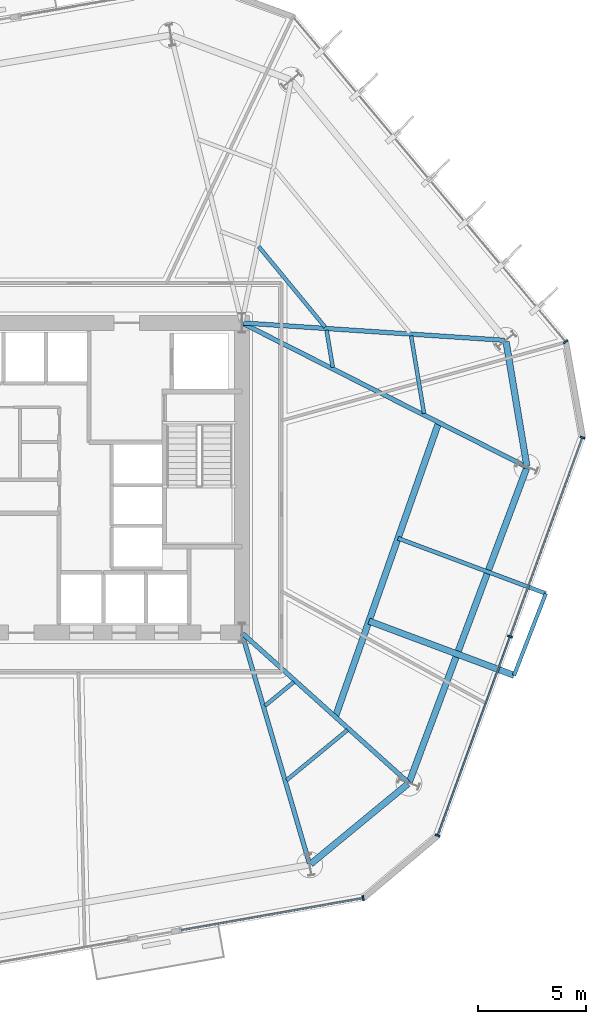
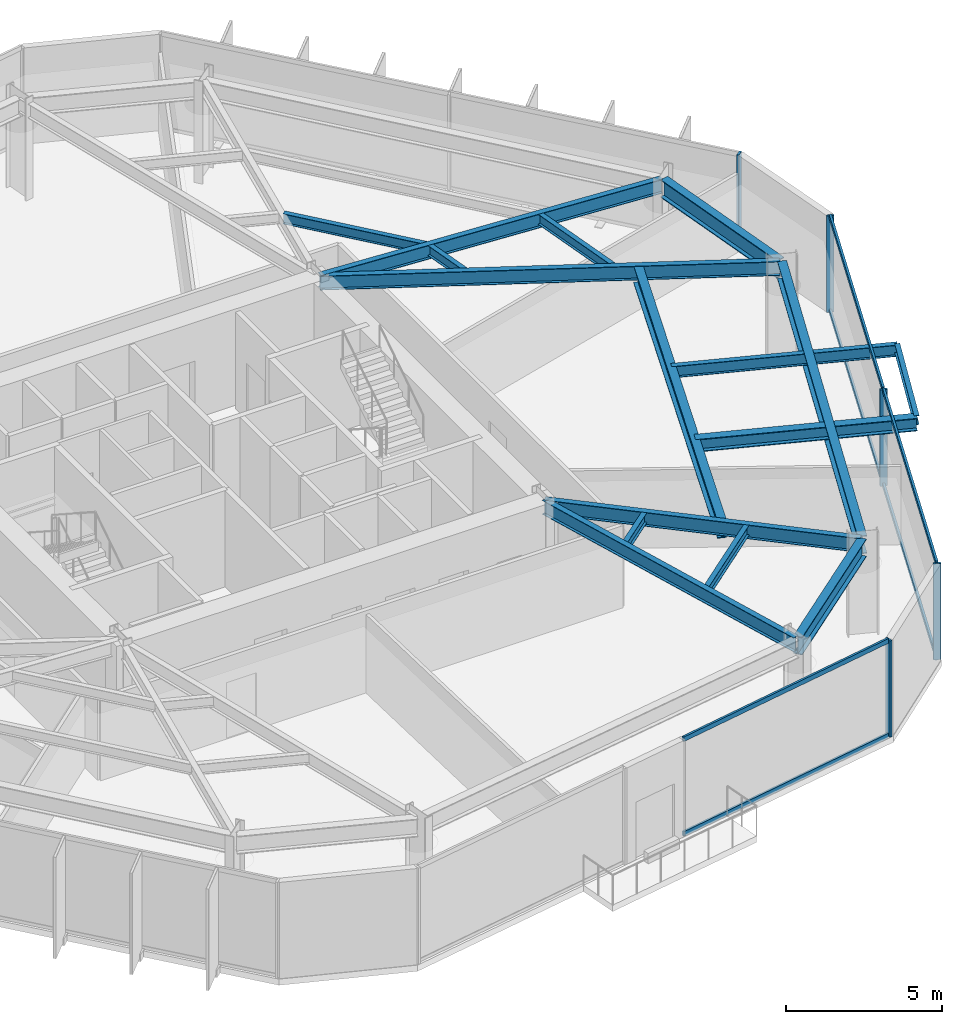
# One storey, part 3 of 10: 16 beams, 11 members, 3 elements without a shape of their own.
"""IFC4 building model written with IfcOpenShell, lengths in metres."""

from ifc_helpers import new_model, si_unit, direction, frame, origin, origin_2d, place, context, subcontext, project, spatial, rectangle, i_section, extrude, material, layer, layer_set, material_profile, profile_set, type_object, element, aggregate, save


model = new_model("IFC4")

# Units and contexts
model_context = context("Model", 3, precision=1e-05, world=origin(), true_north=direction((0.0, 1.0)))
body_context = subcontext(model_context, "Body", "Model", "MODEL_VIEW")
ifc_project = project(units=[si_unit("LENGTHUNIT", "METRE"), si_unit("AREAUNIT", "SQUARE_METRE"), si_unit("VOLUMEUNIT", "CUBIC_METRE"), si_unit("PLANEANGLEUNIT", "RADIAN"), si_unit("MASSUNIT", "GRAM", prefix="KILO")], contexts=[model_context])

# Site, building, storey
site_placement = place(None, origin())
site = spatial("IfcSite", under=ifc_project, at=site_placement, CompositionType="ELEMENT")
building_placement = place(site_placement, origin())
building = spatial("IfcBuilding", under=site, at=building_placement, Name="Kranzbogen Civic Tower", CompositionType="ELEMENT")
storey_placement = place(building_placement, frame((0.0, 0.0, 60.0)))
storey = spatial("IfcBuildingStorey", under=building, at=storey_placement, Name="L14", CompositionType="ELEMENT", Elevation=60.0)

# Beam
ifc_material_1 = material(Name="Steel S355", Category="steel")
ifc_material_profile_1 = material_profile(ifc_material_1, i_section(OverallWidth=0.18994140625, OverallDepth=0.449951171875, WebThickness=0.009521484375, FlangeThickness=0.0146484375, at=origin_2d()), Name="IPE 450")
ifc_profile_set_1 = profile_set([ifc_material_profile_1], Name="Steel S355")
beam_type_1 = type_object("IfcBeamType", Name="Braced Terrace Edge Beam IPE 450", PredefinedType="BEAM", material=ifc_profile_set_1)
beam_1_placement = place(storey_placement, frame((40.06201171875, 22.18896484375, 3.52490234375), z_axis=(0.936685790104, -0.350171001966, 0.0), x_axis=(0.350171001966, 0.936685790104, 0.0)))
element("IfcBeam", 1, at=beam_1_placement, inside=storey, type_object=beam_type_1, Name="L15 back-spanned terrace beam L15-TB1-2", PredefinedType="BEAM", context=body_context, shape_type="SweptSolid", body=[
    extrude(i_section(OverallWidth=0.18994140625, OverallDepth=0.449951171875, WebThickness=0.009521484375, FlangeThickness=0.0146484375, at=origin_2d()), origin(), (0.0, 0.0, 1.0), 7.333251953125),
])

# Curtain wall, member
ifc_material_2 = material(Name="Pale Anodised Aluminium", Category="aluminium")
ifc_layer = layer(ifc_material_2, 0.219970703125, Name="Pale Anodised Aluminium")
ifc_layer_set = layer_set([ifc_layer], Name="Pale Anodised Aluminium")
curtain_wall_type = type_object("IfcCurtainWallType", Name="Zone 1 Stick Curtain Wall System CW-02", PredefinedType="USERDEFINED", material=ifc_layer_set)
curtain_wall_1_placement = place(storey_placement, origin())
curtain_wall_1 = element("IfcCurtainWall", 2, at=curtain_wall_1_placement, inside=storey, type_object=curtain_wall_type, Name="L14 curtain wall CW-L14-F1", ObjectType="STICK CURTAIN WALL", PredefinedType="USERDEFINED")
ifc_material_profile_2 = material_profile(ifc_material_2, rectangle(XDim=0.080078125, YDim=0.239990234375, at=origin_2d()), Name="ALU-M 80x240")
ifc_profile_set_2 = profile_set([ifc_material_profile_2], Name="Pale Anodised Aluminium")
member_type_1 = type_object("IfcMemberType", Name="Curtain Wall Mullion ALU-M 80x240", PredefinedType="MULLION", material=ifc_profile_set_2)
member_1_placement = place(storey_placement, frame((47.851806640625, 31.326904296875, 0.0), z_axis=(0.0, 0.0, 1.0), x_axis=(-0.64275131969, 0.766074892577, 0.0)))
member_1 = element("IfcMember", 3, at=member_1_placement, type_object=member_type_1, Name="CW-02 mullion 1", PredefinedType="MULLION", context=body_context, shape_type="SweptSolid", body=[
    extrude(rectangle(XDim=0.080078125, YDim=0.239990234375, at=origin_2d()), origin(), (0.0, 0.0, 1.0), 3.760009765625),
])
aggregate(curtain_wall_1, [member_1])

curtain_wall_2_placement = place(storey_placement, origin())
curtain_wall_2 = element("IfcCurtainWall", 4, at=curtain_wall_2_placement, inside=storey, type_object=curtain_wall_type, Name="L14 curtain wall CW-L14-F5-S2", ObjectType="STICK CURTAIN WALL", PredefinedType="USERDEFINED")
member_2_placement = place(storey_placement, frame((38.439453125, 5.4638671875, 0.0), z_axis=(0.0, 0.0, 1.0), x_axis=(0.984807925391, 0.173647200057, 0.0)))
member_2 = element("IfcMember", 5, at=member_2_placement, type_object=member_type_1, Name="CW-02 mullion 2", PredefinedType="MULLION", context=body_context, shape_type="SweptSolid", body=[
    extrude(rectangle(XDim=0.080078125, YDim=0.239990234375, at=origin_2d()), origin(), (0.0, 0.0, 1.0), 3.760009765625),
])

# Curtain wall, members
curtain_wall_3_placement = place(storey_placement, origin())
curtain_wall_3 = element("IfcCurtainWall", 6, at=curtain_wall_3_placement, inside=storey, type_object=curtain_wall_type, Name="L14 curtain wall CW-L14-F6", ObjectType="STICK CURTAIN WALL", PredefinedType="USERDEFINED")
member_3_placement = place(storey_placement, frame((41.9052734375, 8.373291015625, 0.0), z_axis=(0.0, 0.0, 1.0), x_axis=(0.342015504473, 0.939694309177, 0.0)))
member_3 = element("IfcMember", 7, at=member_3_placement, type_object=member_type_1, Name="CW-02 mullion 1", PredefinedType="MULLION", context=body_context, shape_type="SweptSolid", body=[
    extrude(rectangle(XDim=0.080078125, YDim=0.239990234375, at=origin_2d()), origin(), (0.0, 0.0, 1.0), 3.760009765625),
])
member_4_placement = place(storey_placement, frame((45.271484375, 17.6220703125, 0.0), z_axis=(0.0, 0.0, 1.0), x_axis=(0.342015504473, 0.939694309177, 0.0)))
member_4 = element("IfcMember", 8, at=member_4_placement, type_object=member_type_1, Name="CW-02 mullion 2", PredefinedType="MULLION", context=body_context, shape_type="SweptSolid", body=[
    extrude(rectangle(XDim=0.080078125, YDim=0.239990234375, at=origin_2d()), origin(), (0.0, 0.0, 1.0), 3.760009765625),
])
member_5_placement = place(storey_placement, frame((48.6376953125, 26.870849609375, 0.0), z_axis=(0.0, 0.0, 1.0), x_axis=(0.342015504473, 0.939694309177, 0.0)))
member_5 = element("IfcMember", 9, at=member_5_placement, type_object=member_type_1, Name="CW-02 mullion 3", PredefinedType="MULLION", context=body_context, shape_type="SweptSolid", body=[
    extrude(rectangle(XDim=0.080078125, YDim=0.239990234375, at=origin_2d()), origin(), (0.0, 0.0, 1.0), 3.760009765625),
])

# Member
ifc_material_profile_3 = material_profile(ifc_material_2, rectangle(XDim=0.080078125, YDim=0.179931640625, at=origin_2d()), Name="ALU-T 80x180")
ifc_profile_set_3 = profile_set([ifc_material_profile_3], Name="Pale Anodised Aluminium")
member_type_2 = type_object("IfcMemberType", Name="Curtain Wall Transom ALU-T 80x180", PredefinedType="USERDEFINED", material=ifc_profile_set_3)
member_6_placement = place(storey_placement, frame((29.987060546875, 3.973388671875, 0.030029296875), z_axis=(0.984809123879, 0.173640402915, 0.0), x_axis=(-0.173640402915, 0.984809123879, 0.0)))
member_6 = element("IfcMember", 10, at=member_6_placement, type_object=member_type_2, Name="CW-02 transom 1.1", ObjectType="TRANSOM", PredefinedType="USERDEFINED", context=body_context, shape_type="SweptSolid", body=[
    extrude(rectangle(XDim=0.080078125, YDim=0.179931640625, at=origin_2d()), origin(), (0.0, 0.0, 1.0), 8.552734375),
])

member_7_placement = place(storey_placement, frame((29.987060546875, 3.973388671875, 3.72998046875), z_axis=(0.984809123879, 0.173640402915, 0.0), x_axis=(-0.173640402915, 0.984809123879, 0.0)))
member_7 = element("IfcMember", 11, at=member_7_placement, type_object=member_type_2, Name="CW-02 transom 1.2", ObjectType="TRANSOM", PredefinedType="USERDEFINED", context=body_context, shape_type="SweptSolid", body=[
    extrude(rectangle(XDim=0.080078125, YDim=0.179931640625, at=origin_2d()), origin(), (0.0, 0.0, 1.0), 8.552734375),
])

aggregate(curtain_wall_2, [member_2, member_6, member_7])

member_8_placement = place(storey_placement, frame((41.91552734375, 8.4013671875, 0.030029296875), z_axis=(0.342015575734, 0.939694283241, 0.0), x_axis=(-0.939694283241, 0.342015575734, 0.0)))
member_8 = element("IfcMember", 12, at=member_8_placement, type_object=member_type_2, Name="CW-02 transom 1.1", ObjectType="TRANSOM", PredefinedType="USERDEFINED", context=body_context, shape_type="SweptSolid", body=[
    extrude(rectangle(XDim=0.080078125, YDim=0.179931640625, at=origin_2d()), origin(), (0.0, 0.0, 1.0), 9.7822265625),
])

member_9_placement = place(storey_placement, frame((41.91552734375, 8.4013671875, 3.72998046875), z_axis=(0.342015575734, 0.939694283241, 0.0), x_axis=(-0.939694283241, 0.342015575734, 0.0)))
member_9 = element("IfcMember", 13, at=member_9_placement, type_object=member_type_2, Name="CW-02 transom 1.2", ObjectType="TRANSOM", PredefinedType="USERDEFINED", context=body_context, shape_type="SweptSolid", body=[
    extrude(rectangle(XDim=0.080078125, YDim=0.179931640625, at=origin_2d()), origin(), (0.0, 0.0, 1.0), 9.7822265625),
])

member_10_placement = place(storey_placement, frame((45.28173828125, 17.650146484375, 0.030029296875), z_axis=(0.342015575734, 0.939694283241, 0.0), x_axis=(-0.939694283241, 0.342015575734, 0.0)))
member_10 = element("IfcMember", 14, at=member_10_placement, type_object=member_type_2, Name="CW-02 transom 2.1", ObjectType="TRANSOM", PredefinedType="USERDEFINED", context=body_context, shape_type="SweptSolid", body=[
    extrude(rectangle(XDim=0.080078125, YDim=0.179931640625, at=origin_2d()), origin(), (0.0, 0.0, 1.0), 9.7822265625),
])

member_11_placement = place(storey_placement, frame((45.28173828125, 17.650146484375, 3.72998046875), z_axis=(0.342015575734, 0.939694283241, 0.0), x_axis=(-0.939694283241, 0.342015575734, 0.0)))
member_11 = element("IfcMember", 15, at=member_11_placement, type_object=member_type_2, Name="CW-02 transom 2.2", ObjectType="TRANSOM", PredefinedType="USERDEFINED", context=body_context, shape_type="SweptSolid", body=[
    extrude(rectangle(XDim=0.080078125, YDim=0.179931640625, at=origin_2d()), origin(), (0.0, 0.0, 1.0), 9.7822265625),
])

aggregate(curtain_wall_3, [member_3, member_4, member_5, member_8, member_9, member_10, member_11])

# Beams
ifc_material_profile_4 = material_profile(ifc_material_1, i_section(OverallWidth=0.300048828125, OverallDepth=0.5, WebThickness=0.014404296875, FlangeThickness=0.028076171875, at=origin_2d()), Name="HEB 500")
ifc_profile_set_4 = profile_set([ifc_material_profile_4], Name="Steel S355")
beam_type_2 = type_object("IfcBeamType", Name="Perimeter Tube Spandrel Beam HEB 500", PredefinedType="SPANDREL", material=ifc_profile_set_4)
beam_2_placement = place(storey_placement, frame((38.7109375, 18.340087890625, 3.5), z_axis=(0.936703623387, -0.350123295332, 0.0), x_axis=(0.350123295332, 0.936703623387, 0.0)))
element("IfcBeam", 16, at=beam_2_placement, inside=storey, type_object=beam_type_2, Name="L15 back-spanned terrace beam L15-TB1-1", PredefinedType="SPANDREL", context=body_context, shape_type="SweptSolid", body=[
    extrude(i_section(OverallWidth=0.300048828125, OverallDepth=0.5, WebThickness=0.014404296875, FlangeThickness=0.028076171875, at=origin_2d()), origin(), (0.0, 0.0, 1.0), 7.197509765625),
])
ifc_material_profile_5 = material_profile(ifc_material_1, i_section(OverallWidth=0.300048828125, OverallDepth=0.699951171875, WebThickness=0.01708984375, FlangeThickness=0.031982421875, at=origin_2d()), Name="HEB 700")
ifc_profile_set_5 = profile_set([ifc_material_profile_5], Name="Steel S355")
beam_type_3 = type_object("IfcBeamType", Name="Perimeter Tube Spandrel Beam HEB 700", PredefinedType="SPANDREL", material=ifc_profile_set_5)
beam_3_placement = place(storey_placement, frame((36.00390625, 7.050048828125, 3.409912109375), z_axis=(0.77168336865, 0.636006901337, 0.0), x_axis=(-0.636006901337, 0.77168336865, 0.0)))
element("IfcBeam", 17, at=beam_3_placement, inside=storey, type_object=beam_type_3, Name="L14 perimeter spandrel beam 05", PredefinedType="SPANDREL", context=body_context, shape_type="SweptSolid", body=[
    extrude(i_section(OverallWidth=0.300048828125, OverallDepth=0.699951171875, WebThickness=0.01708984375, FlangeThickness=0.031982421875, at=origin_2d()), origin(), (0.0, 0.0, 1.0), 5.853515625),
])
beam_4_placement = place(storey_placement, frame((40.587890625, 10.866943359375, 3.409912109375), z_axis=(0.350172267932, 0.936685316833, 0.0), x_axis=(-0.936685316833, 0.350172267932, 0.0)))
element("IfcBeam", 18, at=beam_4_placement, inside=storey, type_object=beam_type_3, Name="L14 perimeter spandrel beam 06", PredefinedType="SPANDREL", context=body_context, shape_type="SweptSolid", body=[
    extrude(i_section(OverallWidth=0.300048828125, OverallDepth=0.699951171875, WebThickness=0.01708984375, FlangeThickness=0.031982421875, at=origin_2d()), origin(), (0.0, 0.0, 1.0), 15.55810546875),
])
beam_5_placement = place(storey_placement, frame((46.047119140625, 25.554931640625, 3.409912109375), z_axis=(-0.164913116942, 0.986308097838, 0.0), x_axis=(-0.986308097838, -0.164913116942, 0.0)))
element("IfcBeam", 19, at=beam_5_placement, inside=storey, type_object=beam_type_3, Name="L14 perimeter spandrel beam 07", PredefinedType="SPANDREL", context=body_context, shape_type="SweptSolid", body=[
    extrude(i_section(OverallWidth=0.300048828125, OverallDepth=0.699951171875, WebThickness=0.01708984375, FlangeThickness=0.031982421875, at=origin_2d()), origin(), (0.0, 0.0, 1.0), 5.85205078125),
])
beam_6_placement = place(storey_placement, frame((37.14794921875, 13.887939453125, 3.39990234375), z_axis=(0.331242591506, 0.943545624531, 0.0), x_axis=(-0.943545624531, 0.331242591506, 0.0)))
element("IfcBeam", 20, at=beam_6_placement, inside=storey, type_object=beam_type_3, Name="L15 balcony back-span header girder L15-TB1", PredefinedType="SPANDREL", context=body_context, shape_type="SweptSolid", body=[
    extrude(i_section(OverallWidth=0.300048828125, OverallDepth=0.699951171875, WebThickness=0.01708984375, FlangeThickness=0.031982421875, at=origin_2d()), origin(), (0.0, 0.0, 1.0), 14.5029296875),
])
ifc_material_profile_6 = material_profile(ifc_material_1, i_section(OverallWidth=0.2099609375, OverallDepth=0.550048828125, WebThickness=0.010986328125, FlangeThickness=0.01708984375, at=origin_2d()), Name="IPE 550")
ifc_profile_set_6 = profile_set([ifc_material_profile_6], Name="Steel S355")
beam_type_4 = type_object("IfcBeamType", Name="Radial Tower Floor Girder IPE 550", PredefinedType="BEAM", material=ifc_profile_set_6)
beam_7_placement = place(storey_placement, frame((35.94091796875, 7.070068359375, 3.485107421875), z_axis=(-0.280944131918, 0.959724124288, 0.0), x_axis=(-0.959724124288, -0.280944131918, 0.0)))
element("IfcBeam", 21, at=beam_7_placement, inside=storey, type_object=beam_type_4, Name="L14 radial floor girder 05", PredefinedType="BEAM", context=body_context, shape_type="SweptSolid", body=[
    extrude(i_section(OverallWidth=0.2099609375, OverallDepth=0.550048828125, WebThickness=0.010986328125, FlangeThickness=0.01708984375, at=origin_2d()), origin(), (0.0, 0.0, 1.0), 11.11962890625),
])
beam_8_placement = place(storey_placement, frame((40.52197265625, 10.85107421875, 3.485107421875), z_axis=(-0.743311776894, 0.668945141496, 0.0), x_axis=(-0.668945141496, -0.743311776894, 0.0)))
element("IfcBeam", 22, at=beam_8_placement, inside=storey, type_object=beam_type_4, Name="L14 radial floor girder 06", PredefinedType="BEAM", context=body_context, shape_type="SweptSolid", body=[
    extrude(i_section(OverallWidth=0.2099609375, OverallDepth=0.550048828125, WebThickness=0.010986328125, FlangeThickness=0.01708984375, at=origin_2d()), origin(), (0.0, 0.0, 1.0), 10.328125),
])
beam_9_placement = place(storey_placement, frame((46.0029296875, 25.52294921875, 3.485107421875), z_axis=(-0.892363219254, 0.451317942168, 0.0), x_axis=(-0.451317942168, -0.892363219254, 0.0)))
element("IfcBeam", 23, at=beam_9_placement, inside=storey, type_object=beam_type_4, Name="L14 radial floor girder 07", PredefinedType="BEAM", context=body_context, shape_type="SweptSolid", body=[
    extrude(i_section(OverallWidth=0.2099609375, OverallDepth=0.550048828125, WebThickness=0.010986328125, FlangeThickness=0.01708984375, at=origin_2d()), origin(), (0.0, 0.0, 1.0), 14.73486328125),
])
beam_10_placement = place(storey_placement, frame((45.011962890625, 31.389892578125, 3.485107421875), z_axis=(-0.99780674843, 0.066194356156, 0.0), x_axis=(-0.066194356156, -0.99780674843, 0.0)))
element("IfcBeam", 24, at=beam_10_placement, inside=storey, type_object=beam_type_4, Name="L14 radial floor girder 08", PredefinedType="BEAM", context=body_context, shape_type="SweptSolid", body=[
    extrude(i_section(OverallWidth=0.2099609375, OverallDepth=0.550048828125, WebThickness=0.010986328125, FlangeThickness=0.01708984375, at=origin_2d()), origin(), (0.0, 0.0, 1.0), 12.178466796875),
])
ifc_material_profile_7 = material_profile(ifc_material_1, i_section(OverallWidth=0.169921875, OverallDepth=0.360107421875, WebThickness=0.008056640625, FlangeThickness=0.0126953125, at=origin_2d()), Name="IPE 360")
ifc_profile_set_7 = profile_set([ifc_material_profile_7], Name="Steel S355")
beam_type_5 = type_object("IfcBeamType", Name="Secondary Composite Floor Joist IPE 360", PredefinedType="JOIST", material=ifc_profile_set_7)
beam_11_placement = place(storey_placement, frame((45.452880859375, 15.820068359375, 3.570068359375), z_axis=(0.362414483462, 0.932017028909, 0.0), x_axis=(-0.932017028909, 0.362414483462, 0.0)))
element("IfcBeam", 25, at=beam_11_placement, inside=storey, type_object=beam_type_5, Name="L15 terrace outer edge trimmer L15-TB1", PredefinedType="JOIST", context=body_context, shape_type="SweptSolid", body=[
    extrude(i_section(OverallWidth=0.169921875, OverallDepth=0.360107421875, WebThickness=0.008056640625, FlangeThickness=0.0126953125, at=origin_2d()), origin(), (0.0, 0.0, 1.0), 4.078369140625),
])
ifc_material_profile_8 = material_profile(ifc_material_1, i_section(OverallWidth=0.179931640625, OverallDepth=0.39990234375, WebThickness=0.008544921875, FlangeThickness=0.013427734375, at=origin_2d()), Name="IPE 400")
ifc_profile_set_8 = profile_set([ifc_material_profile_8], Name="Steel S355")
beam_type_6 = type_object("IfcBeamType", Name="Secondary Composite Floor Joist IPE 400", PredefinedType="JOIST", material=ifc_profile_set_8)
beam_12_placement = place(storey_placement, frame((34.883056640625, 10.947021484375, 3.56005859375), z_axis=(0.771712720426, 0.635971286406, 0.0), x_axis=(-0.635971286406, 0.771712720426, 0.0)))
element("IfcBeam", 26, at=beam_12_placement, inside=storey, type_object=beam_type_6, Name="L14 secondary floor joist 1.05", PredefinedType="JOIST", context=body_context, shape_type="SweptSolid", body=[
    extrude(i_section(OverallWidth=0.179931640625, OverallDepth=0.39990234375, WebThickness=0.008544921875, FlangeThickness=0.013427734375, at=origin_2d()), origin(), (0.0, 0.0, 1.0), 3.661865234375),
])
beam_13_placement = place(storey_placement, frame((33.8720703125, 14.39892578125, 3.56005859375), z_axis=(0.771773324836, 0.635897739477, 0.0), x_axis=(-0.635897739477, 0.771773324836, 0.0)))
element("IfcBeam", 27, at=beam_13_placement, inside=storey, type_object=beam_type_6, Name="L14 secondary floor joist 2.05", PredefinedType="JOIST", context=body_context, shape_type="SweptSolid", body=[
    extrude(i_section(OverallWidth=0.179931640625, OverallDepth=0.39990234375, WebThickness=0.008544921875, FlangeThickness=0.013427734375, at=origin_2d()), origin(), (0.0, 0.0, 1.0), 1.751953125),
])
beam_14_placement = place(storey_placement, frame((41.27099609375, 27.988037109375, 3.56005859375), z_axis=(-0.164928678379, 0.986305495802, 0.0), x_axis=(-0.986305495802, -0.164928678379, 0.0)))
element("IfcBeam", 28, at=beam_14_placement, inside=storey, type_object=beam_type_6, Name="L14 secondary floor joist 1.07", PredefinedType="JOIST", context=body_context, shape_type="SweptSolid", body=[
    extrude(i_section(OverallWidth=0.179931640625, OverallDepth=0.39990234375, WebThickness=0.008544921875, FlangeThickness=0.013427734375, at=origin_2d()), origin(), (0.0, 0.0, 1.0), 3.662109375),
])
beam_15_placement = place(storey_placement, frame((37.029052734375, 30.134033203125, 3.56005859375), z_axis=(-0.165077224104, 0.986280644686, 0.0), x_axis=(-0.986280644686, -0.165077224104, 0.0)))
element("IfcBeam", 29, at=beam_15_placement, inside=storey, type_object=beam_type_6, Name="L14 secondary floor joist 2.07", PredefinedType="JOIST", context=body_context, shape_type="SweptSolid", body=[
    extrude(i_section(OverallWidth=0.179931640625, OverallDepth=0.39990234375, WebThickness=0.008544921875, FlangeThickness=0.013427734375, at=origin_2d()), origin(), (0.0, 0.0, 1.0), 1.7509765625),
])
beam_16_placement = place(storey_placement, frame((36.676025390625, 32.0009765625, 3.56005859375), z_axis=(-0.636012010413, 0.771679157818, 0.0), x_axis=(-0.771679157818, -0.636012010413, 0.0)))
element("IfcBeam", 30, at=beam_16_placement, inside=storey, type_object=beam_type_6, Name="L14 secondary floor joist 2.08", PredefinedType="JOIST", context=body_context, shape_type="SweptSolid", body=[
    extrude(i_section(OverallWidth=0.179931640625, OverallDepth=0.39990234375, WebThickness=0.008544921875, FlangeThickness=0.013427734375, at=origin_2d()), origin(), (0.0, 0.0, 1.0), 4.85693359375),
])

save(model, "model.ifc")
